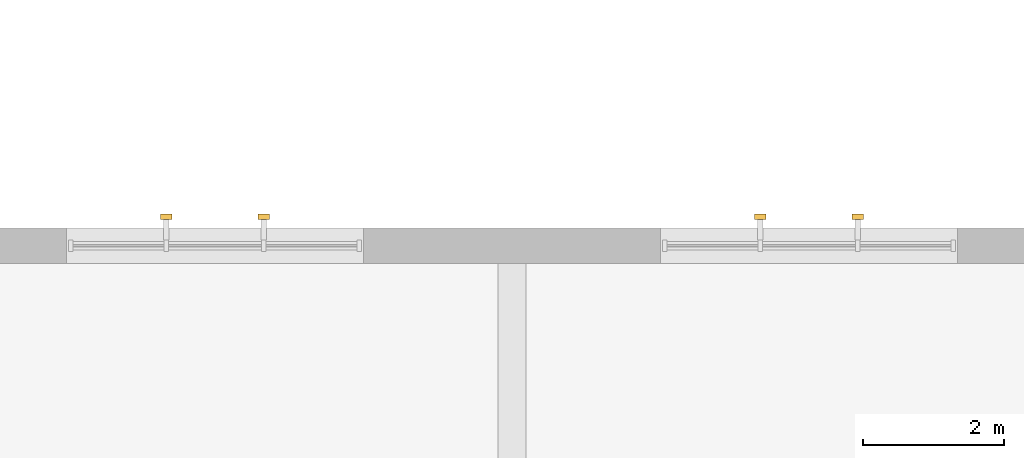
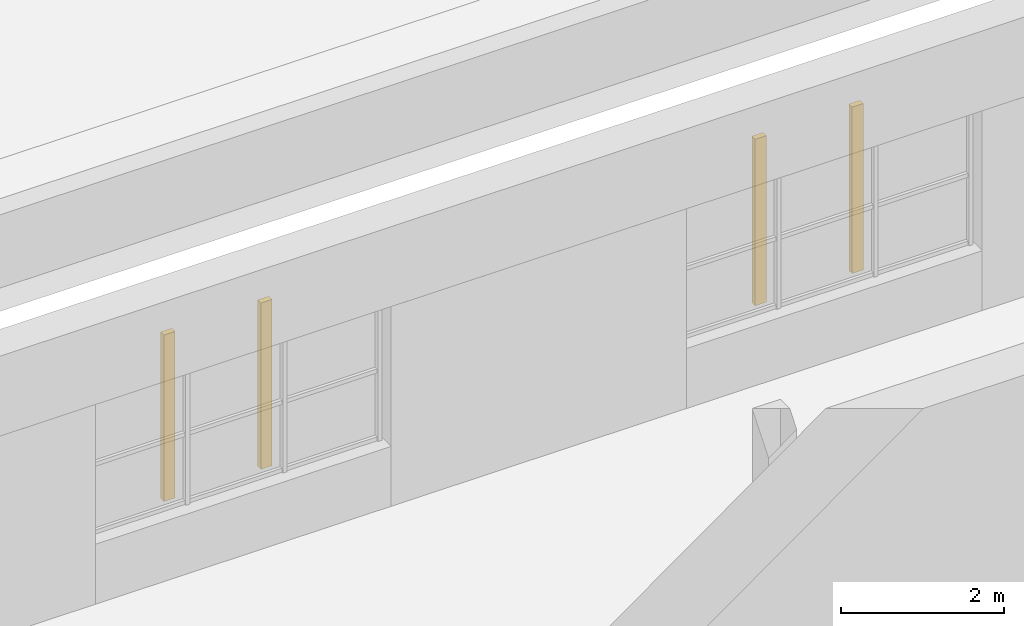
# One storey, part 60 of 60: 4 shading devices.
"""IFC4 building model written with IfcOpenShell, lengths in metres."""

import ifcopenshell
import ifcopenshell.guid

model = None  # the IFC model being written
_history = None  # IfcOwnerHistory: only IFC2X3 demands one
_inside = {}  # id of a spatial element -> (the spatial element, [elements in it])
_under = {}  # id of a project, library or spatial element -> (it, [spatial elements below it])
_declared = {}  # id of a project -> (the project, [libraries it declares])
_typed = {}  # id of a type object -> (the type object, [elements of that type])
_made_of = {}  # id of a material, layer set ... -> (it, [elements and type objects made of it])


def new_model(schema):
    """Start an empty IFC model of exactly this schema.

    Asked for "IFC4X3", IfcOpenShell would pick the latest addendum, in which some entities
    have other attributes; the version numbers below select the first issue.
    IFC2X3 requires an IfcOwnerHistory on every rooted entity: one is made here for all.
    """
    global model, _history
    if schema == "IFC4X3":
        model = ifcopenshell.file(schema_version=(4, 3, 0, 0))
    else:
        model = ifcopenshell.file(schema=schema)
    _inside.clear()
    _under.clear()
    _declared.clear()
    _typed.clear()
    _made_of.clear()
    _history = None
    if model.schema == "IFC2X3":
        org = make("IfcOrganization", Name="unknown")
        user = make(
            "IfcPersonAndOrganization",
            ThePerson=make("IfcPerson", FamilyName="unknown"),
            TheOrganization=org,
        )
        app = make(
            "IfcApplication",
            ApplicationDeveloper=org,
            Version="unknown",
            ApplicationFullName="unknown",
            ApplicationIdentifier="unknown",
        )
        _history = make(
            "IfcOwnerHistory",
            OwningUser=user,
            OwningApplication=app,
            ChangeAction="ADDED",
            CreationDate=0,
        )
    return model


def make(cls, **values):
    """One entity of the class cls with the attributes given. An attribute that is None is left unset."""
    return model.create_entity(
        cls, **{name: value for name, value in values.items() if value is not None}
    )


def rooted(cls, **values):
    """An entity with a GlobalId (a new one), such as an element, a storey or a relation."""
    return make(cls, GlobalId=ifcopenshell.guid.new(), OwnerHistory=_history, **values)


def si_unit(unit_type, name, prefix=None):
    """IfcSIUnit, for example si_unit("LENGTHUNIT", "METRE", prefix="MILLI")."""
    return make("IfcSIUnit", UnitType=unit_type, Prefix=prefix, Name=name)


def assignment(units):
    """IfcUnitAssignment: the units of a project."""
    return None if units is None else make("IfcUnitAssignment", Units=units)


def point(xyz):
    """IfcCartesianPoint."""
    return None if xyz is None else make("IfcCartesianPoint", Coordinates=xyz)


def direction(xyz):
    """IfcDirection."""
    return None if xyz is None else make("IfcDirection", DirectionRatios=xyz)


def frame(location, z_axis=None, x_axis=None):
    """IfcAxis2Placement3D, a coordinate frame: its origin and axes. An axis left out is left unset."""
    return make(
        "IfcAxis2Placement3D",
        Location=point(location),
        Axis=direction(z_axis),
        RefDirection=direction(x_axis),
    )


def frame_2d(location, x_axis=None):
    """IfcAxis2Placement2D, a coordinate frame in the plane: its origin and x axis."""
    return make(
        "IfcAxis2Placement2D", Location=point(location), RefDirection=direction(x_axis)
    )


def origin():
    """The frame at (0, 0, 0) with its axes left unset."""
    return frame((0.0, 0.0, 0.0))


def origin_2d():
    """The frame at (0, 0) in the plane with its x axis left unset."""
    return frame_2d((0.0, 0.0))


def place(relative_to, where):
    """IfcLocalPlacement: puts the frame where relative to a parent placement (None: the world)."""
    return make(
        "IfcLocalPlacement", PlacementRelTo=relative_to, RelativePlacement=where
    )


def context(
    kind, dimensions, precision=None, world=None, true_north=None, identifier=None
):
    """IfcGeometricRepresentationContext, for example the 3D "Model" context."""
    return make(
        "IfcGeometricRepresentationContext",
        ContextIdentifier=identifier,
        ContextType=kind,
        CoordinateSpaceDimension=dimensions,
        Precision=precision,
        WorldCoordinateSystem=world,
        TrueNorth=true_north,
    )


def subcontext(parent, identifier, kind, view, scale=None):
    """IfcGeometricRepresentationSubContext, for example "Body" below "Model"."""
    return make(
        "IfcGeometricRepresentationSubContext",
        ContextIdentifier=identifier,
        ContextType=kind,
        ParentContext=parent,
        TargetScale=scale,
        TargetView=view,
    )


def project(units=None, contexts=None):
    """IfcProject with its units and contexts."""
    return rooted(
        "IfcProject",
        Name="project",
        RepresentationContexts=contexts,
        UnitsInContext=assignment(units),
    )


def spatial(cls, under=None, at=None, **own):
    """A site, building, storey or space (cls), placed at a placement, below another one or the project."""
    s = rooted(cls, ObjectPlacement=at, **own)
    if under is not None:
        _under.setdefault(under.id(), (under, []))[1].append(s)
    return s


def profile(cls, at=None, kind="AREA", **sizes):
    """A parametric profile (cls). Its sizes go by their IFC names, for example OverallWidth=200.0."""
    return make(cls, ProfileType=kind, Position=at, **sizes)


def rectangle(**sizes):
    """IfcRectangleProfileDef."""
    return profile("IfcRectangleProfileDef", **sizes)


def extrude(swept, where, along, depth):
    """IfcExtrudedAreaSolid: the profile swept, set in the frame where, extruded along a direction by depth."""
    return make(
        "IfcExtrudedAreaSolid",
        SweptArea=swept,
        Position=where,
        ExtrudedDirection=direction(along),
        Depth=depth,
    )


def shape(context_of_items, identifier, shape_type, items):
    """IfcShapeRepresentation: the items that make up one representation, for example the "Body"."""
    return make(
        "IfcShapeRepresentation",
        ContextOfItems=context_of_items,
        RepresentationIdentifier=identifier,
        RepresentationType=shape_type,
        Items=items,
    )


def material(Name=None, Category=None):
    """IfcMaterial."""
    return make("IfcMaterial", Name=Name, Category=Category)


def made_of(thing, what):
    """Note that an element or type object is made of a material, layer set ...; save() writes the relation."""
    if what is not None:
        _made_of.setdefault(what.id(), (what, []))[1].append(thing)
    return thing


def type_object(cls, material=None, **own):
    """A type object (cls), such as IfcWallType, which elements share."""
    return made_of(rooted(cls, **own), material)


def element(
    cls,
    number,
    at=None,
    inside=None,
    cuts=None,
    type_object=None,
    material=None,
    context=None,
    identifier="Body",
    shape_type=None,
    held_by="IfcProductDefinitionShape",
    body=None,
    shapes=None,
    **own,
):
    """One element of the class cls, such as IfcWall. Its Tag is "e" and its number.

    at: its placement. inside: the storey or other place that contains it. cuts: it is an
    opening in that element (IfcRelVoidsElement). A single representation is given by context,
    identifier, shape_type and body (its items); several are given by shapes. held_by: the class
    of the entity that holds the representations. save() writes the other relations.
    """
    e = rooted(cls, Tag="e%d" % number, ObjectPlacement=at, **own)
    if body is not None:
        shapes = [shape(context, identifier, shape_type, body)]
    if shapes is not None:
        e.Representation = make(held_by, Representations=shapes)
    if inside is not None:
        _inside.setdefault(inside.id(), (inside, []))[1].append(e)
    if cuts is not None:
        rooted(
            "IfcRelVoidsElement", RelatingBuildingElement=cuts, RelatedOpeningElement=e
        )
    if type_object is not None:
        _typed.setdefault(type_object.id(), (type_object, []))[1].append(e)
    return made_of(e, material)


def aggregate(whole, parts):
    """IfcRelAggregates: a whole, such as a stair, and the parts it consists of."""
    return rooted("IfcRelAggregates", RelatingObject=whole, RelatedObjects=parts)


def save(model, path):
    """Write the relations noted so far, then the file.

    IfcRelAggregates (storeys below a building ...), IfcRelContainedInSpatialStructure (elements
    in a storey), IfcRelDefinesByType, IfcRelAssociatesMaterial and IfcRelDeclares: one each for
    every whole, place, type object, material and project.
    """
    for whole, parts in _under.values():
        aggregate(whole, parts)
    for where, things in _inside.values():
        rooted(
            "IfcRelContainedInSpatialStructure",
            RelatedElements=things,
            RelatingStructure=where,
        )
    for kind, things in _typed.values():
        rooted("IfcRelDefinesByType", RelatedObjects=things, RelatingType=kind)
    for what, things in _made_of.values():
        rooted("IfcRelAssociatesMaterial", RelatedObjects=things, RelatingMaterial=what)
    for by, libraries in _declared.values():
        rooted("IfcRelDeclares", RelatingContext=by, RelatedDefinitions=libraries)
    model.write(path)


model = new_model("IFC4")

# Units and contexts
model_context = context("Model", 3, precision=1e-05, world=origin(), true_north=direction((0.0, 1.0)))
body_context = subcontext(model_context, "Body", "Model", "MODEL_VIEW")
ifc_project = project(units=[si_unit("LENGTHUNIT", "METRE"), si_unit("AREAUNIT", "SQUARE_METRE"), si_unit("VOLUMEUNIT", "CUBIC_METRE"), si_unit("PLANEANGLEUNIT", "RADIAN"), si_unit("MASSUNIT", "GRAM", prefix="KILO")], contexts=[model_context])

# Site, building, storey
site_placement = place(None, origin())
site = spatial("IfcSite", under=ifc_project, at=site_placement, CompositionType="ELEMENT")
building_placement = place(site_placement, origin())
building = spatial("IfcBuilding", under=site, at=building_placement, Name="Ljudholm Concert House", CompositionType="ELEMENT")
storey_placement = place(building_placement, frame((0.0, 0.0, 15.0)))
storey = spatial("IfcBuildingStorey", under=building, at=storey_placement, Name="L03", CompositionType="ELEMENT", Elevation=15.0)

# Shading devices
ifc_material = material(Name="Aluminium extrusion with timber-grain PVDF finish", Category="aluminium")
shading_device_type = type_object("IfcShadingDeviceType", Name="FACADE FIN 80x160", PredefinedType="SHUTTER", material=ifc_material)
for number, where, z_axis, x_axis, name in (
    (1, (74.7099609375, 96.81005859375, 0.699951171875), (0.0, 0.0, 1.0), (0.0, 1.0, 0.0), "Facade fin"),
    (2, (76.090087890625, 96.81005859375, 0.699951171875), (0.0, 0.0, 1.0), (0.0, 1.0, 0.0), "Facade fin"),
    (3, (83.110107421875, 96.81005859375, 0.699951171875), (0.0, 0.0, 1.0), (0.0, 1.0, 0.0), "Facade fin"),
    (4, (84.489990234375, 96.81005859375, 0.699951171875), (0.0, 0.0, 1.0), (0.0, 1.0, 0.0), "Facade fin"),
):
    element("IfcShadingDevice", number, at=place(storey_placement, frame(where, z_axis=z_axis, x_axis=x_axis)), inside=storey, type_object=shading_device_type, Name=name, PredefinedType="SHUTTER", context=body_context, shape_type="SweptSolid", body=[
        extrude(rectangle(XDim=0.080078125, YDim=0.159912109375, at=origin_2d()), origin(), (0.0, 0.0, 1.0), 2.5),
    ])

save(model, "model.ifc")
